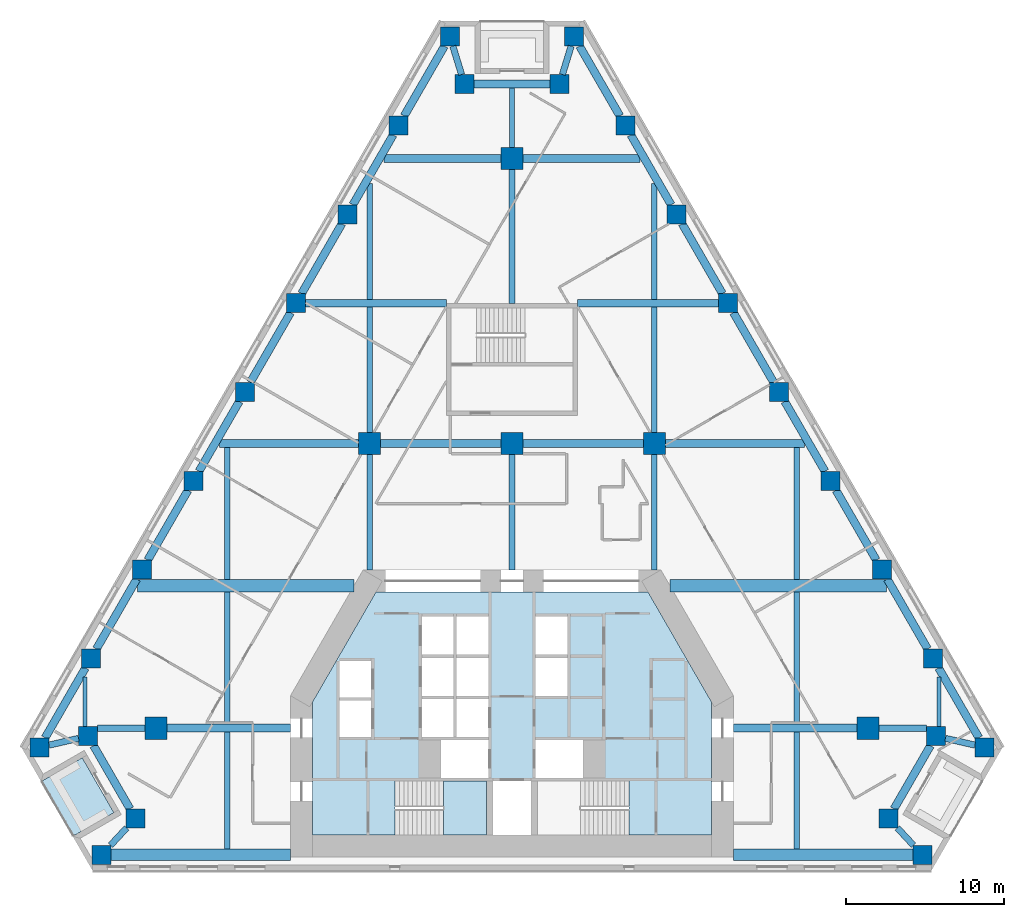
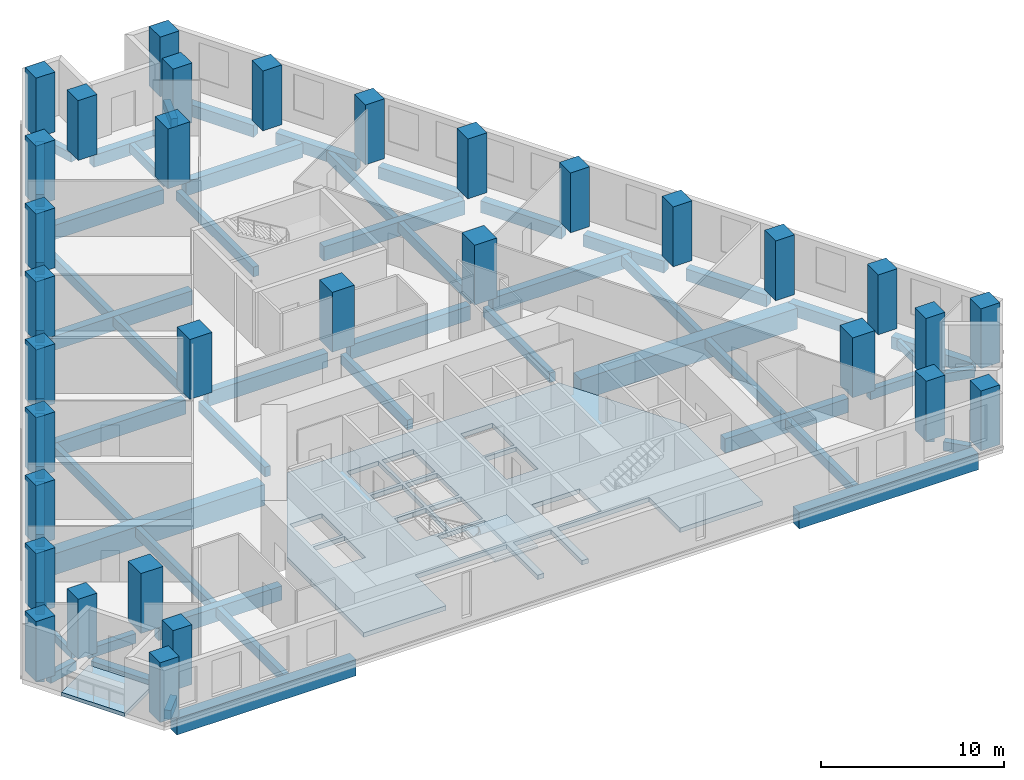
# One storey, part 1 of 9: 58 beams, 32 columns, 3 slabs, 1 element without a shape of its own.
"""IFC4 building model written with IfcOpenShell, lengths in metres."""

from ifc_helpers import new_model, si_unit, direction, frame, origin, origin_2d, place, context, subcontext, project, spatial, polyline, rectangle, outline, extrude, material, layer, layer_set, material_profile, profile_set, type_object, element, aggregate, save


model = new_model("IFC4")

# Units and contexts
model_context = context("Model", 3, precision=1e-05, world=origin(), true_north=direction((0.0, 1.0)))
body_context = subcontext(model_context, "Body", "Model", "MODEL_VIEW")
ifc_project = project(units=[si_unit("LENGTHUNIT", "METRE"), si_unit("AREAUNIT", "SQUARE_METRE"), si_unit("VOLUMEUNIT", "CUBIC_METRE"), si_unit("PLANEANGLEUNIT", "RADIAN"), si_unit("MASSUNIT", "GRAM", prefix="KILO")], contexts=[model_context])

# Site, building, storey
site_placement = place(None, origin())
site = spatial("IfcSite", under=ifc_project, at=site_placement, CompositionType="ELEMENT")
building_placement = place(site_placement, origin())
building = spatial("IfcBuilding", under=site, at=building_placement, Name="Fogline Exchange Tower", CompositionType="ELEMENT")
storey_placement = place(building_placement, frame((0.0, 0.0, 76.89990234375)))
storey = spatial("IfcBuildingStorey", under=building, at=storey_placement, Name="L16", CompositionType="ELEMENT", Elevation=76.89990234375)

# Columns
ifc_material_1 = material(Name="Concrete C80", Category="concrete")
ifc_material_profile_1 = material_profile(ifc_material_1, rectangle(XDim=1.199951171875, YDim=1.199951171875, at=origin_2d()), Name="RC 1200x1200")
ifc_profile_set_1 = profile_set([ifc_material_profile_1], Name="Concrete C80")
column_type_1 = type_object("IfcColumnType", Name="C01", PredefinedType="COLUMN", material=ifc_profile_set_1)
for number, where, z_axis, x_axis, name in (
    (1, (-29.855712890625, 7.794189453125, 0.0), (0.0, 0.0, 1.0), (1.0, 0.0, 0.0), "SW-a"),
    (2, (-26.79638671875, 8.4951171875, 0.0), (0.0, 0.0, 1.0), (1.0, 0.0, 0.0), "SW-p4"),
    (3, (-23.79638671875, 3.299072265625, 0.0), (0.0, 0.0, 1.0), (1.0, 0.0, 0.0), "SW-p3"),
    (4, (-25.93310546875, 1.0, 0.0), (0.0, 0.0, 1.0), (1.0, 0.0, 0.0), "SW-b"),
    (5, (25.93310546875, 1.0, 0.0), (0.0, 0.0, 1.0), (1.0, 0.0, 0.0), "SE-a"),
    (6, (23.79638671875, 3.299072265625, 0.0), (0.0, 0.0, 1.0), (1.0, 0.0, 0.0), "SE-p4"),
    (7, (26.79638671875, 8.4951171875, 0.0), (0.0, 0.0, 1.0), (1.0, 0.0, 0.0), "SE-p3"),
    (8, (29.855712890625, 7.794189453125, 0.0), (0.0, 0.0, 1.0), (1.0, 0.0, 0.0), "SE-b"),
    (9, (26.614013671875, 13.408935546875, 0.0), (0.0, 0.0, 1.0), (1.0, 0.0, 0.0), "E1"),
    (10, (23.37255859375, 19.023681640625, 0.0), (0.0, 0.0, 1.0), (1.0, 0.0, 0.0), "E2"),
    (11, (20.130859375, 24.63818359375, 0.0), (0.0, 0.0, 1.0), (1.0, 0.0, 0.0), "E3"),
    (12, (16.88916015625, 30.2529296875, 0.0), (0.0, 0.0, 1.0), (1.0, 0.0, 0.0), "E4"),
    (13, (13.647705078125, 35.86767578125, 0.0), (0.0, 0.0, 1.0), (1.0, 0.0, 0.0), "E5"),
    (14, (10.406005859375, 41.482421875, 0.0), (0.0, 0.0, 1.0), (1.0, 0.0, 0.0), "E6"),
    (15, (7.164306640625, 47.096923828125, 0.0), (0.0, 0.0, 1.0), (1.0, 0.0, 0.0), "E7"),
    (16, (3.922607421875, 52.711669921875, 0.0), (0.0, 0.0, 1.0), (1.0, 0.0, 0.0), "N-a"),
    (17, (3.0, 49.711669921875, 0.0), (0.0, 0.0, 1.0), (1.0, 0.0, 0.0), "N-p4"),
    (18, (-3.0, 49.711669921875, 0.0), (0.0, 0.0, 1.0), (1.0, 0.0, 0.0), "N-p3"),
    (19, (-3.922607421875, 52.711669921875, 0.0), (0.0, 0.0, 1.0), (1.0, 0.0, 0.0), "N-b"),
    (20, (-7.164306640625, 47.096923828125, 0.0), (0.0, 0.0, 1.0), (1.0, 0.0, 0.0), "W1"),
    (21, (-10.406005859375, 41.482421875, 0.0), (0.0, 0.0, 1.0), (1.0, 0.0, 0.0), "W2"),
    (22, (-13.647705078125, 35.86767578125, 0.0), (0.0, 0.0, 1.0), (1.0, 0.0, 0.0), "W3"),
    (23, (-16.88916015625, 30.2529296875, 0.0), (0.0, 0.0, 1.0), (1.0, 0.0, 0.0), "W4"),
    (24, (-20.130859375, 24.63818359375, 0.0), (0.0, 0.0, 1.0), (1.0, 0.0, 0.0), "W5"),
    (25, (-23.37255859375, 19.023681640625, 0.0), (0.0, 0.0, 1.0), (1.0, 0.0, 0.0), "W6"),
    (26, (-26.614013671875, 13.408935546875, 0.0), (0.0, 0.0, 1.0), (1.0, 0.0, 0.0), "W7"),
):
    element("IfcColumn", number, at=place(storey_placement, frame(where, z_axis=z_axis, x_axis=x_axis)), inside=storey, type_object=column_type_1, Name=name, PredefinedType="COLUMN", context=body_context, shape_type="SweptSolid", body=[
        extrude(rectangle(XDim=1.199951171875, YDim=1.199951171875, at=origin_2d()), origin(), (0.0, 0.0, 1.0), 4.0),
    ])
ifc_material_profile_2 = material_profile(ifc_material_1, rectangle(XDim=1.39990234375, YDim=1.39990234375, at=origin_2d()), Name="RC 1400x1400")
ifc_profile_set_2 = profile_set([ifc_material_profile_2], Name="Concrete C80")
column_type_2 = type_object("IfcColumnType", Name="C02", PredefinedType="COLUMN", material=ifc_profile_set_2)
for number, where, z_axis, x_axis, name in (
    (27, (-9.0, 27.0, 0.0), (0.0, 0.0, 1.0), (1.0, 0.0, 0.0), "IC--9-27"),
    (28, (0.0, 27.0, 0.0), (0.0, 0.0, 1.0), (1.0, 0.0, 0.0), "IC-0-27"),
    (29, (9.0, 27.0, 0.0), (0.0, 0.0, 1.0), (1.0, 0.0, 0.0), "IC-9-27"),
    (30, (0.0, 45.0, 0.0), (0.0, 0.0, 1.0), (1.0, 0.0, 0.0), "IC-0-45"),
    (31, (-22.5, 9.0, 0.0), (0.0, 0.0, 1.0), (1.0, 0.0, 0.0), "IC--225-9"),
    (32, (22.5, 9.0, 0.0), (0.0, 0.0, 1.0), (1.0, 0.0, 0.0), "IC-225-9"),
):
    element("IfcColumn", number, at=place(storey_placement, frame(where, z_axis=z_axis, x_axis=x_axis)), inside=storey, type_object=column_type_2, Name=name, PredefinedType="COLUMN", context=body_context, shape_type="SweptSolid", body=[
        extrude(rectangle(XDim=1.39990234375, YDim=1.39990234375, at=origin_2d()), origin(), (0.0, 0.0, 1.0), 4.0),
    ])

# Beams
ifc_material_2 = material(Name="Concrete C40", Category="concrete")
ifc_material_profile_3 = material_profile(ifc_material_2, rectangle(XDim=0.300048828125, YDim=0.60009765625, at=origin_2d()), Name="RC 300x600")
ifc_profile_set_3 = profile_set([ifc_material_profile_3], Name="Concrete C40")
beam_type_1 = type_object("IfcBeamType", Name="B06", PredefinedType="BEAM", material=ifc_profile_set_3)
beam_1_placement = place(storey_placement, frame((0.0, 45.699951171875, -0.599853515625), z_axis=(0.0, 1.0, 0.0), x_axis=(-1.0, 0.0, 0.0)))
element("IfcBeam", 33, at=beam_1_placement, inside=storey, type_object=beam_type_1, Name="SB010", PredefinedType="BEAM", context=body_context, shape_type="SweptSolid", body=[
    extrude(rectangle(XDim=0.300048828125, YDim=0.60009765625, at=origin_2d()), origin(), (0.0, 0.0, 1.0), 3.76171875),
])
ifc_material_profile_4 = material_profile(ifc_material_2, rectangle(XDim=0.25, YDim=0.5, at=origin_2d()), Name="RC 250x500")
ifc_profile_set_4 = profile_set([ifc_material_profile_4], Name="Concrete C40")
beam_type_2 = type_object("IfcBeamType", Name="B08", PredefinedType="BEAM", material=ifc_profile_set_4)
for number, where, z_axis, x_axis, name in (
    (34, (-27.0, 9.09521484375, -0.5498046875), (0.0, 1.0, 0.0), (-1.0, 0.0, 0.0), "SB001"),
    (35, (27.0, 9.09521484375, -0.5498046875), (0.0, 1.0, 0.0), (-1.0, 0.0, 0.0), "SB017"),
):
    element("IfcBeam", number, at=place(storey_placement, frame(where, z_axis=z_axis, x_axis=x_axis)), inside=storey, type_object=beam_type_2, Name=name, PredefinedType="BEAM", context=body_context, shape_type="SweptSolid", body=[
        extrude(rectangle(XDim=0.25, YDim=0.5, at=origin_2d()), origin(), (0.0, 0.0, 1.0), 3.145263671875),
    ])
ifc_material_profile_5 = material_profile(ifc_material_2, rectangle(XDim=0.5, YDim=0.800048828125, at=origin_2d()), Name="RC 500x800")
ifc_profile_set_5 = profile_set([ifc_material_profile_5], Name="Concrete C40")
beam_type_3 = type_object("IfcBeamType", Name="B10", PredefinedType="BEAM", material=ifc_profile_set_5)
for number, where, z_axis, x_axis, name in (
    (36, (-26.449951171875, 7.895263671875, -0.699951171875), (0.500014024385, -0.866017306651, 0.0), (0.866017306651, 0.500014024385, 0.0), "RB002"),
    (37, (24.142578125, 3.89892578125, -0.699951171875), (0.500014024385, 0.866017306651, 0.0), (-0.866017306651, 0.500014024385, 0.0), "RB007"),
):
    element("IfcBeam", number, at=place(storey_placement, frame(where, z_axis=z_axis, x_axis=x_axis)), inside=storey, type_object=beam_type_3, Name=name, PredefinedType="BEAM", context=body_context, shape_type="SweptSolid", body=[
        extrude(rectangle(XDim=0.5, YDim=0.800048828125, at=origin_2d()), origin(), (0.0, 0.0, 1.0), 4.614501953125),
    ])
beam_2_placement = place(storey_placement, frame((29.50927734375, 8.394287109375, -0.699951171875), z_axis=(-0.500012659481, 0.866018094706, 0.0), x_axis=(-0.866018094706, -0.500012659481, 0.0)))
element("IfcBeam", 38, at=beam_2_placement, inside=storey, type_object=beam_type_3, Name="RB009", PredefinedType="BEAM", context=body_context, shape_type="SweptSolid", body=[
    extrude(rectangle(XDim=0.5, YDim=0.800048828125, at=origin_2d()), origin(), (0.0, 0.0, 1.0), 5.097412109375),
])
for number, where, z_axis, x_axis, name in (
    (39, (26.267578125, 14.0087890625, -0.699951171875), (-0.499956000529, 0.8660508054, 0.0), (-0.8660508054, -0.499956000529, 0.0), "RB010"),
    (40, (23.026123046875, 19.62353515625, -0.699951171875), (-0.499991921166, 0.866030068051, 0.0), (-0.866030068051, -0.499991921166, 0.0), "RB011"),
):
    element("IfcBeam", number, at=place(storey_placement, frame(where, z_axis=z_axis, x_axis=x_axis)), inside=storey, type_object=beam_type_3, Name=name, PredefinedType="BEAM", context=body_context, shape_type="SweptSolid", body=[
        extrude(rectangle(XDim=0.5, YDim=0.800048828125, at=origin_2d()), origin(), (0.0, 0.0, 1.0), 5.09765625),
    ])
beam_3_placement = place(storey_placement, frame((19.784423828125, 25.23828125, -0.699951171875), z_axis=(-0.500012659481, 0.866018094706, 0.0), x_axis=(-0.866018094706, -0.500012659481, 0.0)))
element("IfcBeam", 41, at=beam_3_placement, inside=storey, type_object=beam_type_3, Name="RB012", PredefinedType="BEAM", context=body_context, shape_type="SweptSolid", body=[
    extrude(rectangle(XDim=0.5, YDim=0.800048828125, at=origin_2d()), origin(), (0.0, 0.0, 1.0), 5.097412109375),
])
for number, where, z_axis, x_axis, name in (
    (42, (16.542724609375, 30.852783203125, -0.699951171875), (-0.499991921166, 0.866030068051, 0.0), (-0.866030068051, -0.499991921166, 0.0), "RB013"),
    (43, (13.301025390625, 36.467529296875, -0.699951171875), (-0.499991921166, 0.866030068051, 0.0), (-0.866030068051, -0.499991921166, 0.0), "RB014"),
    (44, (10.0595703125, 42.082275390625, -0.699951171875), (-0.499991921166, 0.866030068051, 0.0), (-0.866030068051, -0.499991921166, 0.0), "RB015"),
    (45, (6.81787109375, 47.697021484375, -0.699951171875), (-0.499991921166, 0.866030068051, 0.0), (-0.866030068051, -0.499991921166, 0.0), "RB016"),
):
    element("IfcBeam", number, at=place(storey_placement, frame(where, z_axis=z_axis, x_axis=x_axis)), inside=storey, type_object=beam_type_3, Name=name, PredefinedType="BEAM", context=body_context, shape_type="SweptSolid", body=[
        extrude(rectangle(XDim=0.5, YDim=0.800048828125, at=origin_2d()), origin(), (0.0, 0.0, 1.0), 5.09765625),
    ])
beam_4_placement = place(storey_placement, frame((2.39990234375, 49.711669921875, -0.699951171875), z_axis=(-1.0, 0.0, 0.0), x_axis=(0.0, -1.0, 0.0)))
element("IfcBeam", 46, at=beam_4_placement, inside=storey, type_object=beam_type_3, Name="RB018", PredefinedType="BEAM", context=body_context, shape_type="SweptSolid", body=[
    extrude(rectangle(XDim=0.5, YDim=0.800048828125, at=origin_2d()), origin(), (0.0, 0.0, 1.0), 4.7998046875),
])
for number, where, z_axis, x_axis, name in (
    (47, (-4.26904296875, 52.11181640625, -0.699951171875), (-0.499991921166, -0.866030068051, 0.0), (0.866030068051, -0.499991921166, 0.0), "RB020"),
    (48, (-7.5107421875, 46.4970703125, -0.699951171875), (-0.499991921166, -0.866030068051, 0.0), (0.866030068051, -0.499991921166, 0.0), "RB021"),
    (49, (-10.752197265625, 40.88232421875, -0.699951171875), (-0.499991921166, -0.866030068051, 0.0), (0.866030068051, -0.499991921166, 0.0), "RB022"),
    (50, (-13.993896484375, 35.267578125, -0.699951171875), (-0.499991921166, -0.866030068051, 0.0), (0.866030068051, -0.499991921166, 0.0), "RB023"),
):
    element("IfcBeam", number, at=place(storey_placement, frame(where, z_axis=z_axis, x_axis=x_axis)), inside=storey, type_object=beam_type_3, Name=name, PredefinedType="BEAM", context=body_context, shape_type="SweptSolid", body=[
        extrude(rectangle(XDim=0.5, YDim=0.800048828125, at=origin_2d()), origin(), (0.0, 0.0, 1.0), 5.09765625),
    ])
beam_5_placement = place(storey_placement, frame((-17.235595703125, 29.65283203125, -0.699951171875), z_axis=(-0.500012659481, -0.866018094706, 0.0), x_axis=(0.866018094706, -0.500012659481, 0.0)))
element("IfcBeam", 51, at=beam_5_placement, inside=storey, type_object=beam_type_3, Name="RB024", PredefinedType="BEAM", context=body_context, shape_type="SweptSolid", body=[
    extrude(rectangle(XDim=0.5, YDim=0.800048828125, at=origin_2d()), origin(), (0.0, 0.0, 1.0), 5.097412109375),
])
for number, where, z_axis, x_axis, name in (
    (52, (-20.477294921875, 24.038330078125, -0.699951171875), (-0.499991921166, -0.866030068051, 0.0), (0.866030068051, -0.499991921166, 0.0), "RB025"),
    (53, (-23.718994140625, 18.423583984375, -0.699951171875), (-0.499956000529, -0.8660508054, 0.0), (0.8660508054, -0.499956000529, 0.0), "RB026"),
):
    element("IfcBeam", number, at=place(storey_placement, frame(where, z_axis=z_axis, x_axis=x_axis)), inside=storey, type_object=beam_type_3, Name=name, PredefinedType="BEAM", context=body_context, shape_type="SweptSolid", body=[
        extrude(rectangle(XDim=0.5, YDim=0.800048828125, at=origin_2d()), origin(), (0.0, 0.0, 1.0), 5.09765625),
    ])
beam_6_placement = place(storey_placement, frame((-26.96044921875, 12.808837890625, -0.699951171875), z_axis=(-0.500012659481, -0.866018094706, 0.0), x_axis=(0.866018094706, -0.500012659481, 0.0)))
element("IfcBeam", 54, at=beam_6_placement, inside=storey, type_object=beam_type_3, Name="RB027", PredefinedType="BEAM", context=body_context, shape_type="SweptSolid", body=[
    extrude(rectangle(XDim=0.5, YDim=0.800048828125, at=origin_2d()), origin(), (0.0, 0.0, 1.0), 5.097412109375),
])
ifc_material_profile_6 = material_profile(ifc_material_2, rectangle(XDim=0.39990234375, YDim=0.60009765625, at=origin_2d()), Name="RC 400x600")
ifc_profile_set_6 = profile_set([ifc_material_profile_6], Name="Concrete C40")
beam_type_4 = type_object("IfcBeamType", Name="B11", PredefinedType="BEAM", material=ifc_profile_set_6)
beam_7_placement = place(storey_placement, frame((-29.255615234375, 7.931640625, -0.599853515625), z_axis=(0.974741606569, 0.223335622829, 0.0), x_axis=(-0.223335622829, 0.974741606569, 0.0)))
element("IfcBeam", 55, at=beam_7_placement, inside=storey, type_object=beam_type_4, Name="RB001", PredefinedType="BEAM", context=body_context, shape_type="SweptSolid", body=[
    extrude(rectangle(XDim=0.39990234375, YDim=0.60009765625, at=origin_2d()), origin(), (0.0, 0.0, 1.0), 1.907470703125),
])
for number, where, z_axis, x_axis, name in (
    (56, (-24.35400390625, 2.698974609375, -0.599853515625), (-0.680844217962, -0.732428256464, 0.0), (0.732428256464, -0.680844217962, 0.0), "RB003"),
    (57, (25.37548828125, 1.60009765625, -0.599853515625), (-0.680844217962, 0.732428256464, 0.0), (-0.732428256464, -0.680844217962, 0.0), "RB006"),
):
    element("IfcBeam", number, at=place(storey_placement, frame(where, z_axis=z_axis, x_axis=x_axis)), inside=storey, type_object=beam_type_4, Name=name, PredefinedType="BEAM", context=body_context, shape_type="SweptSolid", body=[
        extrude(rectangle(XDim=0.39990234375, YDim=0.60009765625, at=origin_2d()), origin(), (0.0, 0.0, 1.0), 1.500244140625),
    ])
beam_8_placement = place(storey_placement, frame((27.396240234375, 8.357666015625, -0.599853515625), z_axis=(0.974741606569, -0.223335622829, 0.0), x_axis=(0.223335622829, 0.974741606569, 0.0)))
element("IfcBeam", 58, at=beam_8_placement, inside=storey, type_object=beam_type_4, Name="RB008", PredefinedType="BEAM", context=body_context, shape_type="SweptSolid", body=[
    extrude(rectangle(XDim=0.39990234375, YDim=0.60009765625, at=origin_2d()), origin(), (0.0, 0.0, 1.0), 1.907470703125),
])
for number, where, z_axis, x_axis, name in (
    (59, (3.738037109375, 52.11181640625, -0.599853515625), (-0.293894535925, -0.955837853275, 0.0), (0.955837853275, -0.293894535925, 0.0), "RB017"),
    (60, (-3.1845703125, 50.311767578125, -0.599853515625), (-0.293894535925, 0.955837853275, 0.0), (-0.955837853275, -0.293894535925, 0.0), "RB019"),
):
    element("IfcBeam", number, at=place(storey_placement, frame(where, z_axis=z_axis, x_axis=x_axis)), inside=storey, type_object=beam_type_4, Name=name, PredefinedType="BEAM", context=body_context, shape_type="SweptSolid", body=[
        extrude(rectangle(XDim=0.39990234375, YDim=0.60009765625, at=origin_2d()), origin(), (0.0, 0.0, 1.0), 1.88330078125),
    ])
ifc_material_profile_7 = material_profile(ifc_material_2, rectangle(XDim=0.699951171875, YDim=1.10009765625, at=origin_2d()), Name="RC 700x1100")
ifc_profile_set_7 = profile_set([ifc_material_profile_7], Name="Concrete C40")
beam_type_5 = type_object("IfcBeamType", Name="B12", PredefinedType="BEAM", material=ifc_profile_set_7)
for number, where, z_axis, x_axis, name in (
    (61, (-25.3330078125, 1.0, -0.849853515625), (1.0, 0.0, 0.0), (0.0, 1.0, 0.0), "RB004"),
    (62, (14.0, 1.0, -0.849853515625), (1.0, 0.0, 0.0), (0.0, 1.0, 0.0), "RB005"),
):
    element("IfcBeam", number, at=place(storey_placement, frame(where, z_axis=z_axis, x_axis=x_axis)), inside=storey, type_object=beam_type_5, Name=name, PredefinedType="BEAM", context=body_context, shape_type="SweptSolid", body=[
        extrude(rectangle(XDim=0.699951171875, YDim=1.10009765625, at=origin_2d()), origin(), (0.0, 0.0, 1.0), 11.3330078125),
    ])
ifc_material_profile_8 = material_profile(ifc_material_2, rectangle(XDim=0.39990234375, YDim=0.64990234375, at=origin_2d()), Name="RC 400x650")
ifc_profile_set_8 = profile_set([ifc_material_profile_8], Name="Concrete C40")
beam_type_6 = type_object("IfcBeamType", Name="B13", PredefinedType="BEAM", material=ifc_profile_set_8)
for number, where, z_axis, x_axis, name in (
    (63, (-26.1962890625, 9.0, -0.625), (1.0, 0.0, 0.0), (0.0, 1.0, 0.0), "GB001"),
    (64, (23.199951171875, 9.0, -0.625), (1.0, 0.0, 0.0), (0.0, 1.0, 0.0), "GB004"),
):
    element("IfcBeam", number, at=place(storey_placement, frame(where, z_axis=z_axis, x_axis=x_axis)), inside=storey, type_object=beam_type_6, Name=name, PredefinedType="BEAM", context=body_context, shape_type="SweptSolid", body=[
        extrude(rectangle(XDim=0.39990234375, YDim=0.64990234375, at=origin_2d()), origin(), (0.0, 0.0, 1.0), 2.996337890625),
    ])
ifc_material_profile_9 = material_profile(ifc_material_2, rectangle(XDim=0.5, YDim=0.949951171875, at=origin_2d()), Name="RC 500x950")
ifc_profile_set_9 = profile_set([ifc_material_profile_9], Name="Concrete C40")
beam_type_7 = type_object("IfcBeamType", Name="B14", PredefinedType="BEAM", material=ifc_profile_set_9)
for number, where, z_axis, x_axis, name in (
    (65, (-21.800048828125, 9.0, -0.77490234375), (1.0, 0.0, 0.0), (0.0, 1.0, 0.0), "GB002"),
    (66, (14.0, 9.0, -0.77490234375), (1.0, 0.0, 0.0), (0.0, 1.0, 0.0), "GB003"),
):
    element("IfcBeam", number, at=place(storey_placement, frame(where, z_axis=z_axis, x_axis=x_axis)), inside=storey, type_object=beam_type_7, Name=name, PredefinedType="BEAM", context=body_context, shape_type="SweptSolid", body=[
        extrude(rectangle(XDim=0.5, YDim=0.949951171875, at=origin_2d()), origin(), (0.0, 0.0, 1.0), 7.800048828125),
    ])
beam_9_placement = place(storey_placement, frame((-18.478515625, 27.0, -0.77490234375), z_axis=(1.0, 0.0, 0.0), x_axis=(0.0, 1.0, 0.0)))
element("IfcBeam", 67, at=beam_9_placement, inside=storey, type_object=beam_type_7, Name="GB007", PredefinedType="BEAM", context=body_context, shape_type="SweptSolid", body=[
    extrude(rectangle(XDim=0.5, YDim=0.949951171875, at=origin_2d()), origin(), (0.0, 0.0, 1.0), 8.778564453125),
])
for number, where, z_axis, x_axis, name in (
    (68, (-8.300048828125, 27.0, -0.77490234375), (1.0, 0.0, 0.0), (0.0, 1.0, 0.0), "GB008"),
    (69, (0.699951171875, 27.0, -0.77490234375), (1.0, 0.0, 0.0), (0.0, 1.0, 0.0), "GB009"),
):
    element("IfcBeam", number, at=place(storey_placement, frame(where, z_axis=z_axis, x_axis=x_axis)), inside=storey, type_object=beam_type_7, Name=name, PredefinedType="BEAM", context=body_context, shape_type="SweptSolid", body=[
        extrude(rectangle(XDim=0.5, YDim=0.949951171875, at=origin_2d()), origin(), (0.0, 0.0, 1.0), 7.60009765625),
    ])
beam_10_placement = place(storey_placement, frame((9.699951171875, 27.0, -0.77490234375), z_axis=(1.0, 0.0, 0.0), x_axis=(0.0, 1.0, 0.0)))
element("IfcBeam", 70, at=beam_10_placement, inside=storey, type_object=beam_type_7, Name="GB010", PredefinedType="BEAM", context=body_context, shape_type="SweptSolid", body=[
    extrude(rectangle(XDim=0.5, YDim=0.949951171875, at=origin_2d()), origin(), (0.0, 0.0, 1.0), 8.778564453125),
])
for number, where, z_axis, x_axis, name in (
    (71, (-13.047607421875, 35.85693359375, -0.77490234375), (1.0, 0.0, 0.0), (0.0, 1.0, 0.0), "GB011"),
    (72, (4.14990234375, 35.85693359375, -0.77490234375), (1.0, 0.0, 0.0), (0.0, 1.0, 0.0), "GB012"),
):
    element("IfcBeam", number, at=place(storey_placement, frame(where, z_axis=z_axis, x_axis=x_axis)), inside=storey, type_object=beam_type_7, Name=name, PredefinedType="BEAM", context=body_context, shape_type="SweptSolid", body=[
        extrude(rectangle(XDim=0.5, YDim=0.949951171875, at=origin_2d()), origin(), (0.0, 0.0, 1.0), 8.897705078125),
    ])
for number, where, z_axis, x_axis, name in (
    (73, (-8.086181640625, 45.0, -0.77490234375), (1.0, 0.0, 0.0), (0.0, 1.0, 0.0), "GB013"),
    (74, (0.699951171875, 45.0, -0.77490234375), (1.0, 0.0, 0.0), (0.0, 1.0, 0.0), "GB014"),
):
    element("IfcBeam", number, at=place(storey_placement, frame(where, z_axis=z_axis, x_axis=x_axis)), inside=storey, type_object=beam_type_7, Name=name, PredefinedType="BEAM", context=body_context, shape_type="SweptSolid", body=[
        extrude(rectangle(XDim=0.5, YDim=0.949951171875, at=origin_2d()), origin(), (0.0, 0.0, 1.0), 7.38623046875),
    ])
ifc_material_profile_10 = material_profile(ifc_material_2, rectangle(XDim=0.800048828125, YDim=1.39990234375, at=origin_2d()), Name="RC 800x1400")
ifc_profile_set_10 = profile_set([ifc_material_profile_10], Name="Concrete C40")
beam_type_8 = type_object("IfcBeamType", Name="B15", PredefinedType="BEAM", material=ifc_profile_set_10)
for number, where, z_axis, x_axis, name in (
    (75, (-23.6748046875, 18.0, -1.0), (1.0, 0.0, 0.0), (0.0, 1.0, 0.0), "GB005"),
    (76, (9.989013671875, 18.0, -1.0), (1.0, 0.0, 0.0), (0.0, 1.0, 0.0), "GB006"),
):
    element("IfcBeam", number, at=place(storey_placement, frame(where, z_axis=z_axis, x_axis=x_axis)), inside=storey, type_object=beam_type_8, Name=name, PredefinedType="BEAM", context=body_context, shape_type="SweptSolid", body=[
        extrude(rectangle(XDim=0.800048828125, YDim=1.39990234375, at=origin_2d()), origin(), (0.0, 0.0, 1.0), 13.685791015625),
    ])
ifc_material_profile_11 = material_profile(ifc_material_2, rectangle(XDim=0.35009765625, YDim=0.64990234375, at=origin_2d()), Name="RC 350x650")
ifc_profile_set_11 = profile_set([ifc_material_profile_11], Name="Concrete C40")
beam_type_9 = type_object("IfcBeamType", Name="B16", PredefinedType="BEAM", material=ifc_profile_set_11)
beam_11_placement = place(storey_placement, frame((-18.0, 1.35009765625, -0.625), z_axis=(0.0, 1.0, 0.0), x_axis=(-1.0, 0.0, 0.0)))
element("IfcBeam", 77, at=beam_11_placement, inside=storey, type_object=beam_type_9, Name="SB002", PredefinedType="BEAM", context=body_context, shape_type="SweptSolid", body=[
    extrude(rectangle(XDim=0.35009765625, YDim=0.64990234375, at=origin_2d()), origin(), (0.0, 0.0, 1.0), 7.39990234375),
])
for number, where, z_axis, x_axis, name in (
    (78, (-18.0, 9.25, -0.625), (0.0, 1.0, 0.0), (-1.0, 0.0, 0.0), "SB003"),
    (79, (-18.0, 18.39990234375, -0.625), (0.0, 1.0, 0.0), (-1.0, 0.0, 0.0), "SB004"),
):
    element("IfcBeam", number, at=place(storey_placement, frame(where, z_axis=z_axis, x_axis=x_axis)), inside=storey, type_object=beam_type_9, Name=name, PredefinedType="BEAM", context=body_context, shape_type="SweptSolid", body=[
        extrude(rectangle(XDim=0.35009765625, YDim=0.64990234375, at=origin_2d()), origin(), (0.0, 0.0, 1.0), 8.35009765625),
    ])
beam_12_placement = place(storey_placement, frame((-9.0, 19.0, -0.625), z_axis=(0.0, 1.0, 0.0), x_axis=(-1.0, 0.0, 0.0)))
element("IfcBeam", 80, at=beam_12_placement, inside=storey, type_object=beam_type_9, Name="SB005", PredefinedType="BEAM", context=body_context, shape_type="SweptSolid", body=[
    extrude(rectangle(XDim=0.35009765625, YDim=0.64990234375, at=origin_2d()), origin(), (0.0, 0.0, 1.0), 7.300048828125),
])
beam_13_placement = place(storey_placement, frame((-9.0, 27.699951171875, -0.625), z_axis=(0.0, 1.0, 0.0), x_axis=(-1.0, 0.0, 0.0)))
element("IfcBeam", 81, at=beam_13_placement, inside=storey, type_object=beam_type_9, Name="SB006", PredefinedType="BEAM", context=body_context, shape_type="SweptSolid", body=[
    extrude(rectangle(XDim=0.35009765625, YDim=0.64990234375, at=origin_2d()), origin(), (0.0, 0.0, 1.0), 7.906982421875),
])
beam_14_placement = place(storey_placement, frame((-9.0, 36.10693359375, -0.625), z_axis=(0.0, 1.0, 0.0), x_axis=(-1.0, 0.0, 0.0)))
element("IfcBeam", 82, at=beam_14_placement, inside=storey, type_object=beam_type_9, Name="SB007", PredefinedType="BEAM", context=body_context, shape_type="SweptSolid", body=[
    extrude(rectangle(XDim=0.35009765625, YDim=0.64990234375, at=origin_2d()), origin(), (0.0, 0.0, 1.0), 7.310546875),
])
beam_15_placement = place(storey_placement, frame((0.0, 19.0, -0.625), z_axis=(0.0, 1.0, 0.0), x_axis=(-1.0, 0.0, 0.0)))
element("IfcBeam", 83, at=beam_15_placement, inside=storey, type_object=beam_type_9, Name="SB008", PredefinedType="BEAM", context=body_context, shape_type="SweptSolid", body=[
    extrude(rectangle(XDim=0.35009765625, YDim=0.64990234375, at=origin_2d()), origin(), (0.0, 0.0, 1.0), 7.300048828125),
])
beam_16_placement = place(storey_placement, frame((0.0, 35.85693359375, -0.625), z_axis=(0.0, 1.0, 0.0), x_axis=(-1.0, 0.0, 0.0)))
element("IfcBeam", 84, at=beam_16_placement, inside=storey, type_object=beam_type_9, Name="SB009", PredefinedType="BEAM", context=body_context, shape_type="SweptSolid", body=[
    extrude(rectangle(XDim=0.35009765625, YDim=0.64990234375, at=origin_2d()), origin(), (0.0, 0.0, 1.0), 8.443115234375),
])
beam_17_placement = place(storey_placement, frame((9.0, 19.0, -0.625), z_axis=(0.0, 1.0, 0.0), x_axis=(-1.0, 0.0, 0.0)))
element("IfcBeam", 85, at=beam_17_placement, inside=storey, type_object=beam_type_9, Name="SB011", PredefinedType="BEAM", context=body_context, shape_type="SweptSolid", body=[
    extrude(rectangle(XDim=0.35009765625, YDim=0.64990234375, at=origin_2d()), origin(), (0.0, 0.0, 1.0), 7.300048828125),
])
beam_18_placement = place(storey_placement, frame((9.0, 27.699951171875, -0.625), z_axis=(0.0, 1.0, 0.0), x_axis=(-1.0, 0.0, 0.0)))
element("IfcBeam", 86, at=beam_18_placement, inside=storey, type_object=beam_type_9, Name="SB012", PredefinedType="BEAM", context=body_context, shape_type="SweptSolid", body=[
    extrude(rectangle(XDim=0.35009765625, YDim=0.64990234375, at=origin_2d()), origin(), (0.0, 0.0, 1.0), 7.906982421875),
])
beam_19_placement = place(storey_placement, frame((9.0, 36.10693359375, -0.625), z_axis=(0.0, 1.0, 0.0), x_axis=(-1.0, 0.0, 0.0)))
element("IfcBeam", 87, at=beam_19_placement, inside=storey, type_object=beam_type_9, Name="SB013", PredefinedType="BEAM", context=body_context, shape_type="SweptSolid", body=[
    extrude(rectangle(XDim=0.35009765625, YDim=0.64990234375, at=origin_2d()), origin(), (0.0, 0.0, 1.0), 7.310546875),
])
beam_20_placement = place(storey_placement, frame((18.0, 1.35009765625, -0.625), z_axis=(0.0, 1.0, 0.0), x_axis=(-1.0, 0.0, 0.0)))
element("IfcBeam", 88, at=beam_20_placement, inside=storey, type_object=beam_type_9, Name="SB014", PredefinedType="BEAM", context=body_context, shape_type="SweptSolid", body=[
    extrude(rectangle(XDim=0.35009765625, YDim=0.64990234375, at=origin_2d()), origin(), (0.0, 0.0, 1.0), 7.39990234375),
])
for number, where, z_axis, x_axis, name in (
    (89, (18.0, 9.25, -0.625), (0.0, 1.0, 0.0), (-1.0, 0.0, 0.0), "SB015"),
    (90, (18.0, 18.39990234375, -0.625), (0.0, 1.0, 0.0), (-1.0, 0.0, 0.0), "SB016"),
):
    element("IfcBeam", number, at=place(storey_placement, frame(where, z_axis=z_axis, x_axis=x_axis)), inside=storey, type_object=beam_type_9, Name=name, PredefinedType="BEAM", context=body_context, shape_type="SweptSolid", body=[
        extrude(rectangle(XDim=0.35009765625, YDim=0.64990234375, at=origin_2d()), origin(), (0.0, 0.0, 1.0), 8.35009765625),
    ])

# Slabs
ifc_layer_1 = layer(ifc_material_2, 0.25)
ifc_layer_set_1 = layer_set([ifc_layer_1], Name="DK1")
slab_type_1 = type_object("IfcSlabType", Name="DK1", PredefinedType="FLOOR", material=ifc_layer_set_1)
slab_1_placement = place(storey_placement, frame((0.0, 0.0, -0.25)))
element("IfcSlab", 91, at=slab_1_placement, inside=storey, type_object=slab_type_1, Name="Balcony L16 SW", PredefinedType="FLOOR", context=body_context, shape_type="SweptSolid", body=[
    extrude(outline(polyline([(-29.760498046875, 5.629150390625), (-27.760498046875, 2.1650390625), (-25.162353515625, 3.6650390625), (-27.162353515625, 7.129150390625), (-29.760498046875, 5.629150390625)])), origin(), (0.0, 0.0, 1.0), 0.25),
])
ifc_layer_2 = layer(ifc_material_2, 0.300048828125)
ifc_layer_set_2 = layer_set([ifc_layer_2], Name="S04")
slab_type_2 = type_object("IfcSlabType", Name="S04", PredefinedType="FLOOR", material=ifc_layer_set_2)
slab_2_placement = place(storey_placement, frame((0.0, 0.0, -0.2998046875)))
element("IfcSlab", 92, at=slab_2_placement, inside=storey, type_object=slab_type_2, Name="Core floor slab", PredefinedType="FLOOR", context=body_context, shape_type="SweptSolid", body=[
    extrude(outline(polyline([(-12.60009765625, 2.25), (-12.60009765625, 10.677490234375), (-8.603271484375, 17.60009765625), (8.603271484375, 17.60009765625), (12.60009765625, 10.677490234375), (12.60009765625, 2.25), (7.389892578125, 2.25), (7.389892578125, 5.64990234375), (1.60009765625, 5.64990234375), (1.60009765625, 2.25), (1.199951171875, 2.25), (1.199951171875, 5.64990234375), (-1.199951171875, 5.64990234375), (-1.199951171875, 2.25), (-1.60009765625, 2.25), (-1.60009765625, 5.64990234375), (-7.389892578125, 5.64990234375), (-7.389892578125, 2.25), (-12.60009765625, 2.25)]), holes=[polyline([(-1.5, 8.25), (-4.5, 8.25), (-4.5, 5.85009765625), (-1.5, 5.85009765625), (-1.5, 8.25)]), polyline([(-8.89990234375, 10.75), (-10.89990234375, 10.75), (-10.89990234375, 8.449951171875), (-8.89990234375, 8.449951171875), (-8.89990234375, 10.75)]), polyline([(-3.699951171875, 10.85009765625), (-5.699951171875, 10.85009765625), (-5.699951171875, 8.449951171875), (-3.699951171875, 8.449951171875), (-3.699951171875, 10.85009765625)]), polyline([(-1.5, 10.85009765625), (-3.5, 10.85009765625), (-3.5, 8.449951171875), (-1.5, 8.449951171875), (-1.5, 10.85009765625)]), polyline([(-8.89990234375, 13.25), (-10.89990234375, 13.25), (-10.89990234375, 10.949951171875), (-8.89990234375, 10.949951171875), (-8.89990234375, 13.25)]), polyline([(-3.699951171875, 13.449951171875), (-5.699951171875, 13.449951171875), (-5.699951171875, 11.050048828125), (-3.699951171875, 11.050048828125), (-3.699951171875, 13.449951171875)]), polyline([(-3.699951171875, 16.050048828125), (-5.699951171875, 16.050048828125), (-5.699951171875, 13.64990234375), (-3.699951171875, 13.64990234375), (-3.699951171875, 16.050048828125)]), polyline([(4.5, 8.25), (1.5, 8.25), (1.5, 5.85009765625), (4.5, 5.85009765625), (4.5, 8.25)]), polyline([(-1.5, 13.449951171875), (-3.5, 13.449951171875), (-3.5, 11.050048828125), (-1.5, 11.050048828125), (-1.5, 13.449951171875)]), polyline([(3.5, 13.449951171875), (1.5, 13.449951171875), (1.5, 11.050048828125), (3.5, 11.050048828125), (3.5, 13.449951171875)]), polyline([(-1.5, 16.050048828125), (-3.5, 16.050048828125), (-3.5, 13.64990234375), (-1.5, 13.64990234375), (-1.5, 16.050048828125)]), polyline([(3.5, 16.050048828125), (1.5, 16.050048828125), (1.5, 13.64990234375), (3.5, 13.64990234375), (3.5, 16.050048828125)])]), origin(), (0.0, 0.0, 1.0), 0.2998046875),
])

# Stair, slab
stair_type = type_object("IfcStairType", Name="STR24-1667", PredefinedType="HALF_TURN_STAIR", material=ifc_material_2)
stair_placement = place(storey_placement, origin())
stair = element("IfcStair", 93, at=stair_placement, inside=storey, type_object=stair_type, Name="Stair ST1", PredefinedType="HALF_TURN_STAIR")
ifc_layer_3 = layer(ifc_material_2, 0.199951171875)
ifc_layer_set_3 = layer_set([ifc_layer_3], Name="SL200")
slab_type_3 = type_object("IfcSlabType", Name="SL200", PredefinedType="LANDING", material=ifc_layer_set_3)
slab_3_placement = place(storey_placement, frame((0.0, 0.0, 1.800048828125)))
slab_3 = element("IfcSlab", 94, at=slab_3_placement, type_object=slab_type_3, Name="ST1 landing 1", PredefinedType="LANDING", context=body_context, shape_type="SweptSolid", body=[
    extrude(outline(polyline([(-4.320068359375, 2.25), (-1.60009765625, 2.25), (-1.60009765625, 5.64990234375), (-4.320068359375, 5.64990234375), (-4.320068359375, 2.25)])), origin(), (0.0, 0.0, 1.0), 0.199951171875),
])
aggregate(stair, [slab_3])

save(model, "model.ifc")
